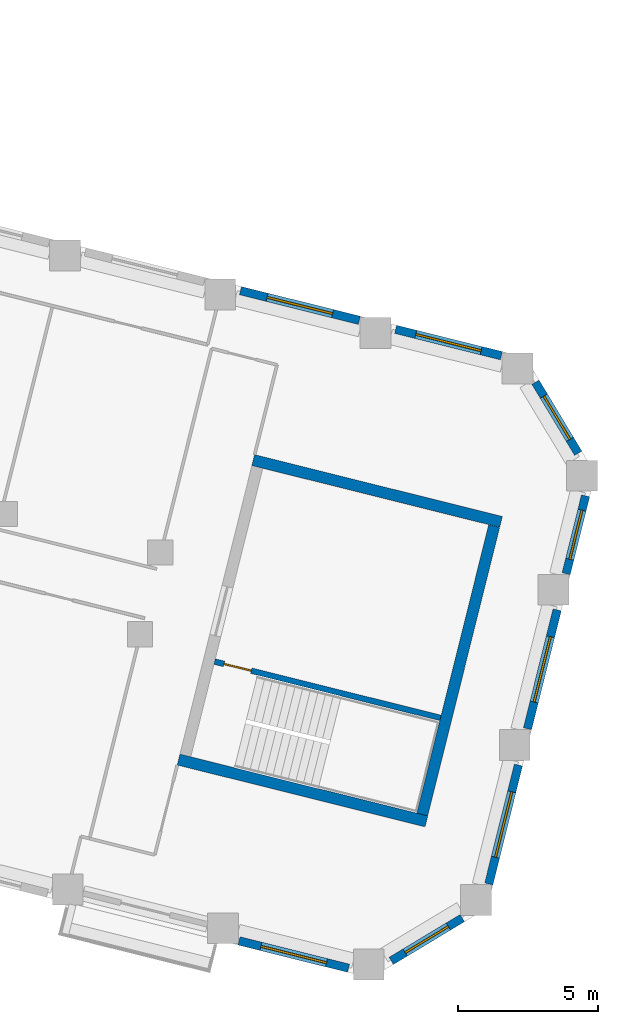
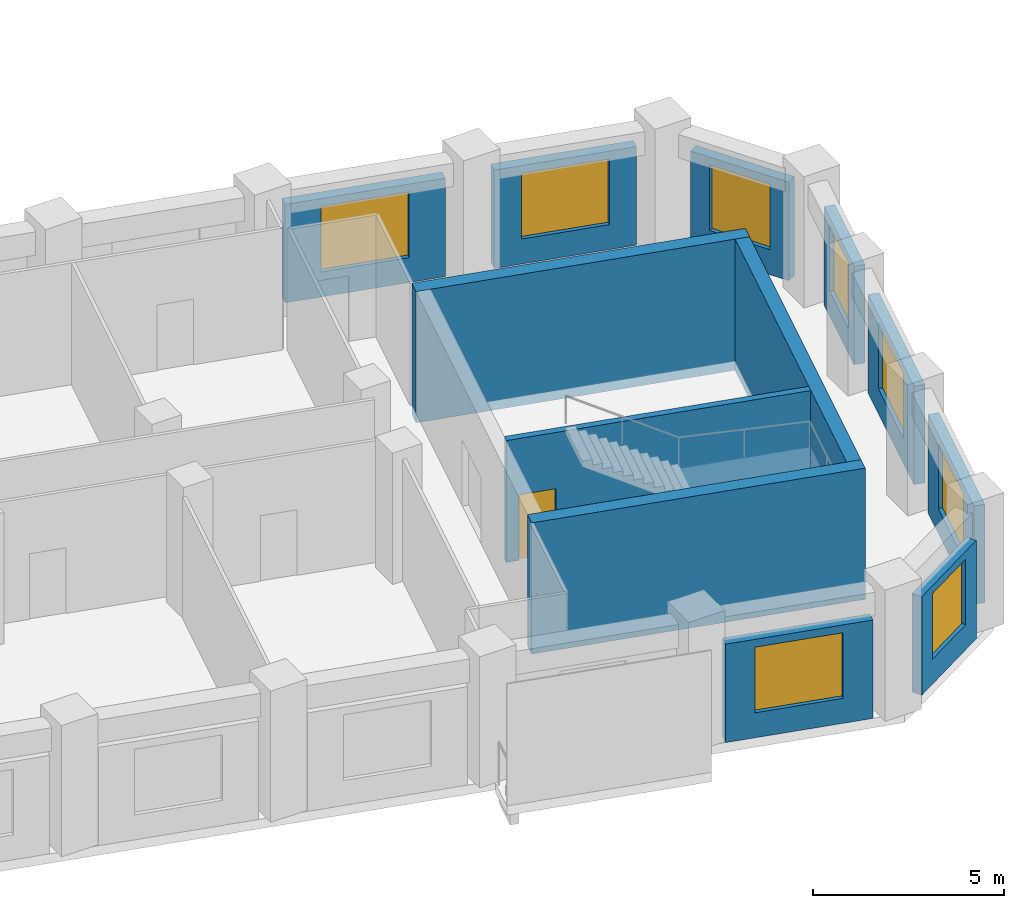
# One storey, part 7 of 10: 12 walls, 8 windows, 1 door, 9 openings.
"""IFC4 building model written with IfcOpenShell, lengths in metres."""

from ifc_helpers import new_model, si_unit, direction, frame, frame_2d, origin, place, context, subcontext, project, spatial, rectangle, extrude, material, layer, layer_set, type_object, element, fill, save


model = new_model("IFC4")

# Units and contexts
model_context = context("Model", 3, precision=1e-05, world=origin(), true_north=direction((0.0, 1.0)))
body_context = subcontext(model_context, "Body", "Model", "MODEL_VIEW")
ifc_project = project(units=[si_unit("LENGTHUNIT", "METRE"), si_unit("AREAUNIT", "SQUARE_METRE"), si_unit("VOLUMEUNIT", "CUBIC_METRE"), si_unit("PLANEANGLEUNIT", "RADIAN"), si_unit("MASSUNIT", "GRAM", prefix="KILO")], contexts=[model_context])

# Site, building, storey
site_placement = place(None, origin())
site = spatial("IfcSite", under=ifc_project, at=site_placement, CompositionType="ELEMENT")
building_placement = place(site_placement, origin())
building = spatial("IfcBuilding", under=site, at=building_placement, Name="Meshkara Civic Tower", CompositionType="ELEMENT")
storey_placement = place(building_placement, frame((0.0, 0.0, 267.60009765625)))
storey = spatial("IfcBuildingStorey", under=building, at=storey_placement, Name="L61", CompositionType="ELEMENT", Elevation=267.60009765625)

# Wall, opening, window
ifc_material_1 = material(Name="Insulated infill panel with bronze anodised aluminium cladding", Category="aluminium")
ifc_layer_1 = layer(ifc_material_1, 0.300048828125)
ifc_layer_set_1 = layer_set([ifc_layer_1], Name="EXTERNAL INFILL WALL 300")
wall_type_1 = type_object("IfcWallType", Name="EXTERNAL INFILL WALL 300", PredefinedType="SOLIDWALL", material=ifc_layer_set_1)
wall_1_placement = place(storey_placement, frame((71.02001953125, 5.635986328125, 0.0), z_axis=(0.0, 0.0, 1.0), x_axis=(-0.970297701374, 0.241913973777, 0.0)))
wall_1 = element("IfcWall", 1, at=wall_1_placement, inside=storey, type_object=wall_type_1, Name="External wall", PredefinedType="SOLIDWALL", context=body_context, shape_type="SweptSolid", body=[
    extrude(rectangle(XDim=3.88134765625, YDim=0.300048828125, at=frame_2d((1.940673828125, 0.0))), origin(), (0.0, 0.0, 1.0), 3.14990234375),
])
opening_1_placement = place(wall_1_placement, frame((0.740966796875, 0.0, 0.800048828125)))
opening_1 = element("IfcOpeningElement", 2, at=opening_1_placement, cuts=wall_1, Name="Opening W7", PredefinedType="OPENING", context=body_context, shape_type="SweptSolid", body=[
    extrude(rectangle(XDim=2.39990234375, YDim=2.10009765625, at=frame_2d((1.199951171875, 1.050048828125))), frame((0.0, 0.159912109375, 0.0), z_axis=(0.0, -1.0, 0.0), x_axis=(1.0, 0.0, 0.0)), (0.0, 0.0, 1.0), 0.320068359375),
])
ifc_material_2 = material(Name="Tinted double glazing", Category="glass")
window_type_1 = type_object("IfcWindowType", Name="WINDOW 2400x2100", PartitioningType="DOUBLE_PANEL_VERTICAL", PredefinedType="WINDOW", material=ifc_material_2)
window_1_placement = place(opening_1_placement, origin())
window_1 = element("IfcWindow", 3, at=window_1_placement, inside=storey, type_object=window_type_1, Name="Window", OverallHeight=2.10009765625, OverallWidth=2.39990234375, PartitioningType="DOUBLE_PANEL_VERTICAL", PredefinedType="WINDOW", context=body_context, shape_type="SweptSolid", body=[
    extrude(rectangle(XDim=2.39990234375, YDim=2.10009765625, at=frame_2d((1.199951171875, 1.050048828125))), frame((0.0, 0.030029296875, 0.0), z_axis=(0.0, -1.0, 0.0), x_axis=(1.0, 0.0, 0.0)), (0.0, 0.0, 1.0), 0.06005859375),
])
fill(opening_1, window_1)

wall_2_placement = place(storey_placement, frame((65.9599609375, 6.89794921875, 0.0), z_axis=(0.0, 0.0, 1.0), x_axis=(-0.970309996763, 0.241864652607, 0.0)))
wall_2 = element("IfcWall", 4, at=wall_2_placement, inside=storey, type_object=wall_type_1, Name="External wall", PredefinedType="SOLIDWALL", context=body_context, shape_type="SweptSolid", body=[
    extrude(rectangle(XDim=4.36669921875, YDim=0.300048828125, at=frame_2d((2.183349609375, 0.0))), origin(), (0.0, 0.0, 1.0), 3.14990234375),
])
opening_2_placement = place(wall_2_placement, frame((0.98291015625, 0.0, 0.800048828125)))
opening_2 = element("IfcOpeningElement", 5, at=opening_2_placement, cuts=wall_2, Name="Opening W7", PredefinedType="OPENING", context=body_context, shape_type="SweptSolid", body=[
    extrude(rectangle(XDim=2.39990234375, YDim=2.10009765625, at=frame_2d((1.199951171875, 1.050048828125))), frame((0.0, 0.159912109375, 0.0), z_axis=(0.0, -1.0, 0.0), x_axis=(1.0, 0.0, 0.0)), (0.0, 0.0, 1.0), 0.320068359375),
])
window_2_placement = place(opening_2_placement, origin())
window_2 = element("IfcWindow", 6, at=window_2_placement, inside=storey, type_object=window_type_1, Name="Window", OverallHeight=2.10009765625, OverallWidth=2.39990234375, PartitioningType="DOUBLE_PANEL_VERTICAL", PredefinedType="WINDOW", context=body_context, shape_type="SweptSolid", body=[
    extrude(rectangle(XDim=2.39990234375, YDim=2.10009765625, at=frame_2d((1.199951171875, 1.050048828125))), frame((0.0, 0.030029296875, 0.0), z_axis=(0.0, -1.0, 0.0), x_axis=(1.0, 0.0, 0.0)), (0.0, 0.0, 1.0), 0.06005859375),
])
fill(opening_2, window_2)

wall_3_placement = place(storey_placement, frame((61.6708984375, -15.220947265625, 0.0), z_axis=(0.0, 0.0, 1.0), x_axis=(0.97026726112, -0.242036034503, 0.0)))
wall_3 = element("IfcWall", 7, at=wall_3_placement, inside=storey, type_object=wall_type_1, Name="External wall", PredefinedType="SOLIDWALL", context=body_context, shape_type="SweptSolid", body=[
    extrude(rectangle(XDim=4.024658203125, YDim=0.300048828125, at=frame_2d((2.01220703125, 0.0))), origin(), (0.0, 0.0, 1.0), 3.14990234375),
])
opening_3_placement = place(wall_3_placement, frame((0.81201171875, 0.0, 0.800048828125)))
opening_3 = element("IfcOpeningElement", 8, at=opening_3_placement, cuts=wall_3, Name="Opening W7", PredefinedType="OPENING", context=body_context, shape_type="SweptSolid", body=[
    extrude(rectangle(XDim=2.39990234375, YDim=2.10009765625, at=frame_2d((1.199951171875, 1.050048828125))), frame((0.0, 0.159912109375, 0.0), z_axis=(0.0, -1.0, 0.0), x_axis=(1.0, 0.0, 0.0)), (0.0, 0.0, 1.0), 0.320068359375),
])
window_3_placement = place(opening_3_placement, origin())
window_3 = element("IfcWindow", 9, at=window_3_placement, inside=storey, type_object=window_type_1, Name="Window", OverallHeight=2.10009765625, OverallWidth=2.39990234375, PartitioningType="DOUBLE_PANEL_VERTICAL", PredefinedType="WINDOW", context=body_context, shape_type="SweptSolid", body=[
    extrude(rectangle(XDim=2.39990234375, YDim=2.10009765625, at=frame_2d((1.199951171875, 1.050048828125))), frame((0.0, 0.030029296875, 0.0), z_axis=(0.0, -1.0, 0.0), x_axis=(1.0, 0.0, 0.0)), (0.0, 0.0, 1.0), 0.06005859375),
])
fill(opening_3, window_3)

wall_4_placement = place(storey_placement, frame((67.097900390625, -15.93408203125, 0.0), z_axis=(0.0, 0.0, 1.0), x_axis=(0.857077006791, 0.515188319384, 0.0)))
wall_4 = element("IfcWall", 10, at=wall_4_placement, inside=storey, type_object=wall_type_1, Name="External wall", PredefinedType="SOLIDWALL", context=body_context, shape_type="SweptSolid", body=[
    extrude(rectangle(XDim=2.9541015625, YDim=0.300048828125, at=frame_2d((1.47705078125, 0.0))), origin(), (0.0, 0.0, 1.0), 3.14990234375),
])
opening_4_placement = place(wall_4_placement, frame((0.576904296875, 0.0, 0.800048828125)))
opening_4 = element("IfcOpeningElement", 11, at=opening_4_placement, cuts=wall_4, Name="Opening W9", PredefinedType="OPENING", context=body_context, shape_type="SweptSolid", body=[
    extrude(rectangle(XDim=1.800048828125, YDim=2.10009765625, at=frame_2d((0.89990234375, 1.050048828125))), frame((0.0, 0.159912109375, 0.0), z_axis=(0.0, -1.0, 0.0), x_axis=(1.0, 0.0, 0.0)), (0.0, 0.0, 1.0), 0.320068359375),
])
ifc_material_3 = material(Name="Tinted double glazing", Category="glass")
window_type_2 = type_object("IfcWindowType", Name="WINDOW 1800x2100", PartitioningType="DOUBLE_PANEL_VERTICAL", PredefinedType="WINDOW", material=ifc_material_3)
window_4_placement = place(opening_4_placement, origin())
window_4 = element("IfcWindow", 12, at=window_4_placement, inside=storey, type_object=window_type_2, Name="Window", OverallHeight=2.10009765625, OverallWidth=1.800048828125, PartitioningType="DOUBLE_PANEL_VERTICAL", PredefinedType="WINDOW", context=body_context, shape_type="SweptSolid", body=[
    extrude(rectangle(XDim=1.800048828125, YDim=2.10009765625, at=frame_2d((0.89990234375, 1.050048828125))), frame((0.0, 0.030029296875, 0.0), z_axis=(0.0, -1.0, 0.0), x_axis=(1.0, 0.0, 0.0)), (0.0, 0.0, 1.0), 0.06005859375),
])
fill(opening_4, window_4)

wall_5_placement = place(storey_placement, frame((70.574951171875, -13.19189453125, 0.0), z_axis=(0.0, 0.0, 1.0), x_axis=(0.241877774353, 0.970306725873, 0.0)))
wall_5 = element("IfcWall", 13, at=wall_5_placement, inside=storey, type_object=wall_type_1, Name="External wall", PredefinedType="SOLIDWALL", context=body_context, shape_type="SweptSolid", body=[
    extrude(rectangle(XDim=4.366455078125, YDim=0.300048828125, at=frame_2d((2.18310546875, 0.0))), origin(), (0.0, 0.0, 1.0), 3.14990234375),
])
opening_5_placement = place(wall_5_placement, frame((0.98291015625, 0.0, 0.800048828125)))
opening_5 = element("IfcOpeningElement", 14, at=opening_5_placement, cuts=wall_5, Name="Opening W7", PredefinedType="OPENING", context=body_context, shape_type="SweptSolid", body=[
    extrude(rectangle(XDim=2.39990234375, YDim=2.10009765625, at=frame_2d((1.199951171875, 1.050048828125))), frame((0.0, 0.159912109375, 0.0), z_axis=(0.0, -1.0, 0.0), x_axis=(1.0, 0.0, 0.0)), (0.0, 0.0, 1.0), 0.320068359375),
])
window_5_placement = place(opening_5_placement, origin())
window_5 = element("IfcWindow", 15, at=window_5_placement, inside=storey, type_object=window_type_1, Name="Window", OverallHeight=2.10009765625, OverallWidth=2.39990234375, PartitioningType="DOUBLE_PANEL_VERTICAL", PredefinedType="WINDOW", context=body_context, shape_type="SweptSolid", body=[
    extrude(rectangle(XDim=2.39990234375, YDim=2.10009765625, at=frame_2d((1.199951171875, 1.050048828125))), frame((0.0, 0.030029296875, 0.0), z_axis=(0.0, -1.0, 0.0), x_axis=(1.0, 0.0, 0.0)), (0.0, 0.0, 1.0), 0.06005859375),
])
fill(opening_5, window_5)

wall_6_placement = place(storey_placement, frame((71.9541015625, -7.660888671875, 0.0), z_axis=(0.0, 0.0, 1.0), x_axis=(0.241877622649, 0.97030676369, 0.0)))
wall_6 = element("IfcWall", 16, at=wall_6_placement, inside=storey, type_object=wall_type_1, Name="External wall", PredefinedType="SOLIDWALL", context=body_context, shape_type="SweptSolid", body=[
    extrude(rectangle(XDim=4.365478515625, YDim=0.300048828125, at=frame_2d((2.1826171875, 0.0))), origin(), (0.0, 0.0, 1.0), 3.14990234375),
])
opening_6_placement = place(wall_6_placement, frame((0.98291015625, 0.0, 0.800048828125)))
opening_6 = element("IfcOpeningElement", 17, at=opening_6_placement, cuts=wall_6, Name="Opening W7", PredefinedType="OPENING", context=body_context, shape_type="SweptSolid", body=[
    extrude(rectangle(XDim=2.39990234375, YDim=2.10009765625, at=frame_2d((1.199951171875, 1.050048828125))), frame((0.0, 0.159912109375, 0.0), z_axis=(0.0, -1.0, 0.0), x_axis=(1.0, 0.0, 0.0)), (0.0, 0.0, 1.0), 0.320068359375),
])
window_6_placement = place(opening_6_placement, origin())
window_6 = element("IfcWindow", 18, at=window_6_placement, inside=storey, type_object=window_type_1, Name="Window", OverallHeight=2.10009765625, OverallWidth=2.39990234375, PartitioningType="DOUBLE_PANEL_VERTICAL", PredefinedType="WINDOW", context=body_context, shape_type="SweptSolid", body=[
    extrude(rectangle(XDim=2.39990234375, YDim=2.10009765625, at=frame_2d((1.199951171875, 1.050048828125))), frame((0.0, 0.030029296875, 0.0), z_axis=(0.0, -1.0, 0.0), x_axis=(1.0, 0.0, 0.0)), (0.0, 0.0, 1.0), 0.06005859375),
])
fill(opening_6, window_6)

wall_7_placement = place(storey_placement, frame((73.3330078125, -2.131103515625, 0.0), z_axis=(0.0, 0.0, 1.0), x_axis=(0.241770612026, 0.970333432981, 0.0)))
wall_7 = element("IfcWall", 19, at=wall_7_placement, inside=storey, type_object=wall_type_1, Name="External wall", PredefinedType="SOLIDWALL", context=body_context, shape_type="SweptSolid", body=[
    extrude(rectangle(XDim=2.853759765625, YDim=0.300048828125, at=frame_2d((1.4267578125, 0.0))), origin(), (0.0, 0.0, 1.0), 3.14990234375),
])
opening_7_placement = place(wall_7_placement, frame((0.527099609375, 0.0, 0.800048828125)))
opening_7 = element("IfcOpeningElement", 20, at=opening_7_placement, cuts=wall_7, Name="Opening W9", PredefinedType="OPENING", context=body_context, shape_type="SweptSolid", body=[
    extrude(rectangle(XDim=1.800048828125, YDim=2.10009765625, at=frame_2d((0.89990234375, 1.050048828125))), frame((0.0, 0.159912109375, 0.0), z_axis=(0.0, -1.0, 0.0), x_axis=(1.0, 0.0, 0.0)), (0.0, 0.0, 1.0), 0.320068359375),
])
window_7_placement = place(opening_7_placement, origin())
window_7 = element("IfcWindow", 21, at=window_7_placement, inside=storey, type_object=window_type_2, Name="Window", OverallHeight=2.10009765625, OverallWidth=1.800048828125, PartitioningType="DOUBLE_PANEL_VERTICAL", PredefinedType="WINDOW", context=body_context, shape_type="SweptSolid", body=[
    extrude(rectangle(XDim=1.800048828125, YDim=2.10009765625, at=frame_2d((0.89990234375, 1.050048828125))), frame((0.0, 0.030029296875, 0.0), z_axis=(0.0, -1.0, 0.0), x_axis=(1.0, 0.0, 0.0)), (0.0, 0.0, 1.0), 0.06005859375),
])
fill(opening_7, window_7)

wall_8_placement = place(storey_placement, frame((73.761962890625, 2.159912109375, 0.0), z_axis=(0.0, 0.0, 1.0), x_axis=(-0.515334317037, 0.856989230786, 0.0)))
wall_8 = element("IfcWall", 22, at=wall_8_placement, inside=storey, type_object=wall_type_1, Name="External wall", PredefinedType="SOLIDWALL", context=body_context, shape_type="SweptSolid", body=[
    extrude(rectangle(XDim=2.953369140625, YDim=0.300048828125, at=frame_2d((1.4765625, 0.0))), origin(), (0.0, 0.0, 1.0), 3.14990234375),
])
opening_8_placement = place(wall_8_placement, frame((0.576904296875, 0.0, 0.800048828125)))
opening_8 = element("IfcOpeningElement", 23, at=opening_8_placement, cuts=wall_8, Name="Opening W9", PredefinedType="OPENING", context=body_context, shape_type="SweptSolid", body=[
    extrude(rectangle(XDim=1.800048828125, YDim=2.10009765625, at=frame_2d((0.89990234375, 1.050048828125))), frame((0.0, 0.159912109375, 0.0), z_axis=(0.0, -1.0, 0.0), x_axis=(1.0, 0.0, 0.0)), (0.0, 0.0, 1.0), 0.320068359375),
])
window_8_placement = place(opening_8_placement, origin())
window_8 = element("IfcWindow", 24, at=window_8_placement, inside=storey, type_object=window_type_2, Name="Window", OverallHeight=2.10009765625, OverallWidth=1.800048828125, PartitioningType="DOUBLE_PANEL_VERTICAL", PredefinedType="WINDOW", context=body_context, shape_type="SweptSolid", body=[
    extrude(rectangle(XDim=1.800048828125, YDim=2.10009765625, at=frame_2d((0.89990234375, 1.050048828125))), frame((0.0, 0.030029296875, 0.0), z_axis=(0.0, -1.0, 0.0), x_axis=(1.0, 0.0, 0.0)), (0.0, 0.0, 1.0), 0.06005859375),
])
fill(opening_8, window_8)

# Walls
ifc_material_4 = material(Name="Concrete C60", Category="concrete")
ifc_layer_2 = layer(ifc_material_4, 0.39990234375)
ifc_layer_set_2 = layer_set([ifc_layer_2], Name="End core ring wall 400 C60")
wall_type_2 = type_object("IfcWallType", Name="End core ring wall 400 C60", PredefinedType="SHEAR", material=ifc_layer_set_2)
wall_9_placement = place(storey_placement, frame((59.51904296875, -8.759033203125, -0.300048828125), z_axis=(0.0, 0.0, 1.0), x_axis=(0.970287509026, -0.241954850805, 0.0)))
element("IfcWall", 25, at=wall_9_placement, inside=storey, type_object=wall_type_2, Name="L61-C027", PredefinedType="SHEAR", context=body_context, shape_type="SweptSolid", body=[
    extrude(rectangle(XDim=9.1005859375, YDim=0.39990234375, at=frame_2d((4.55029296875, 0.0))), origin(), (0.0, 0.0, 1.0), 4.199951171875),
])
wall_10_placement = place(storey_placement, frame((62.179931640625, 1.9140625, -0.300048828125), z_axis=(0.0, 0.0, 1.0), x_axis=(0.970306400786, -0.241879078453, 0.0)))
element("IfcWall", 26, at=wall_10_placement, inside=storey, type_object=wall_type_2, Name="L61-C028", PredefinedType="SHEAR", context=body_context, shape_type="SweptSolid", body=[
    extrude(rectangle(XDim=9.100341796875, YDim=0.39990234375, at=frame_2d((4.55029296875, 0.0))), origin(), (0.0, 0.0, 1.0), 4.199951171875),
])
wall_11_placement = place(storey_placement, frame((68.202880859375, -10.718017578125, -0.300048828125), z_axis=(0.0, 0.0, 1.0), x_axis=(0.241912337509, 0.970298109326, 0.0)))
element("IfcWall", 27, at=wall_11_placement, inside=storey, type_object=wall_type_2, Name="L61-C030", PredefinedType="SHEAR", context=body_context, shape_type="SweptSolid", body=[
    extrude(rectangle(XDim=10.599853515625, YDim=0.39990234375, at=frame_2d((5.2998046875, 0.0))), origin(), (0.0, 0.0, 1.0), 4.199951171875),
])

# Wall, opening, door
ifc_material_5 = material(Name="Concrete C40/50", Category="concrete")
ifc_layer_3 = layer(ifc_material_5, 0.199951171875)
ifc_layer_set_3 = layer_set([ifc_layer_3], Name="Stair enclosure wall 200 C40/50")
wall_type_3 = type_object("IfcWallType", Name="Stair enclosure wall 200 C40/50", PredefinedType="SOLIDWALL", material=ifc_layer_set_3)
wall_12_placement = place(storey_placement, frame((60.802001953125, -5.26611328125, 0.0), z_axis=(0.0, 0.0, 1.0), x_axis=(0.970303192681, -0.241891947516, 0.0)))
wall_12 = element("IfcWall", 28, at=wall_12_placement, inside=storey, type_object=wall_type_3, Name="L61-C031", PredefinedType="SOLIDWALL", context=body_context, shape_type="SweptSolid", body=[
    extrude(rectangle(XDim=8.300537109375, YDim=0.199951171875, at=frame_2d((4.150390625, 0.0))), origin(), (0.0, 0.0, 1.0), 3.89990234375),
])
opening_9_placement = place(wall_12_placement, frame((0.35009765625, 0.0, 0.0)))
opening_9 = element("IfcOpeningElement", 29, at=opening_9_placement, cuts=wall_12, Name="Opening L61-K201", PredefinedType="OPENING", context=body_context, shape_type="SweptSolid", body=[
    extrude(rectangle(XDim=1.0, YDim=2.10009765625, at=frame_2d((0.5, 1.050048828125))), frame((0.0, 0.10986328125, 0.0), z_axis=(0.0, -1.0, 0.0), x_axis=(1.0, 0.0, 0.0)), (0.0, 0.0, 1.0), 0.219970703125),
])
ifc_material_6 = material(Name="Fire-rated door leaf in steel frame", Category="steel")
door_type = type_object("IfcDoorType", Name="Stair door 1000 EI 120", OperationType="SINGLE_SWING_LEFT", PredefinedType="DOOR", material=ifc_material_6)
door_placement = place(opening_9_placement, origin())
door = element("IfcDoor", 30, at=door_placement, inside=storey, type_object=door_type, Name="L61-K201", OperationType="SINGLE_SWING_LEFT", OverallHeight=2.10009765625, OverallWidth=1.0, PredefinedType="DOOR", context=body_context, shape_type="SweptSolid", body=[
    extrude(rectangle(XDim=1.0, YDim=2.10009765625, at=frame_2d((0.5, 1.050048828125))), frame((0.0, 0.02490234375, 0.0), z_axis=(0.0, -1.0, 0.0), x_axis=(1.0, 0.0, 0.0)), (0.0, 0.0, 1.0), 0.050048828125),
])
fill(opening_9, door)

save(model, "model.ifc")
